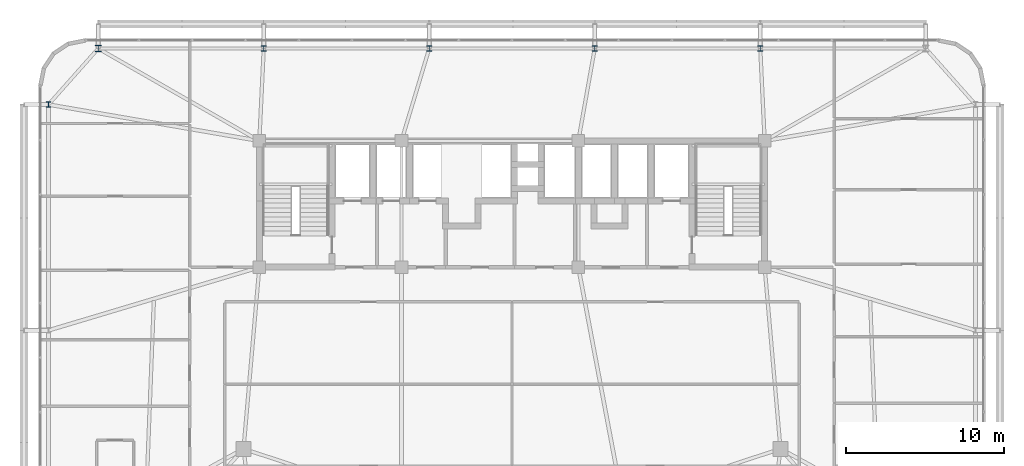
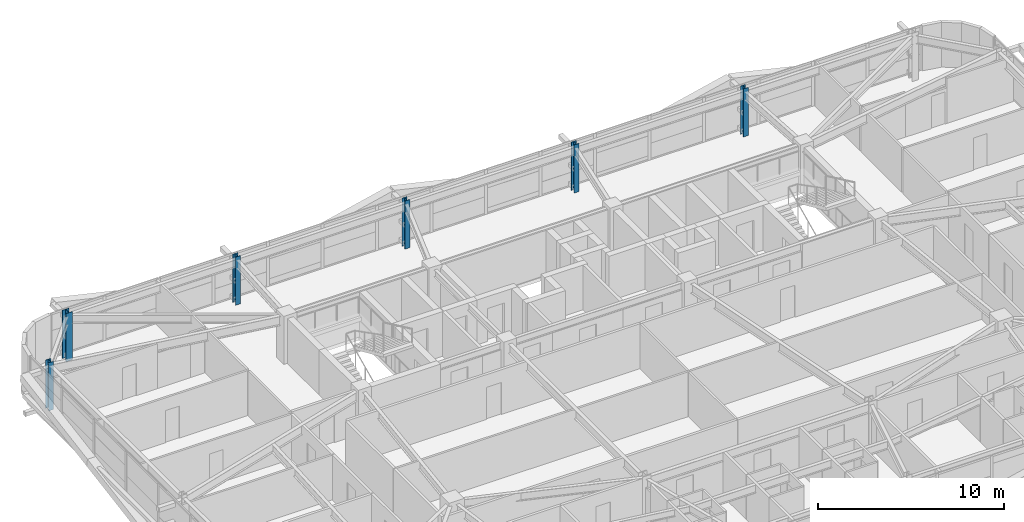
# One storey, part 3 of 59: 6 columns.
"""IFC4 building model written with IfcOpenShell, lengths in metres."""

from ifc_helpers import new_model, si_unit, direction, frame, origin, origin_2d, place, context, subcontext, project, spatial, i_section, extrude, source, transform, mapped, material, material_profile, profile_set, type_object, element, save


model = new_model("IFC4")

# Units and contexts
model_context = context("Model", 3, precision=1e-05, world=origin(), true_north=direction((0.0, 1.0)))
body_context = subcontext(model_context, "Body", "Model", "MODEL_VIEW")
ifc_project = project(units=[si_unit("LENGTHUNIT", "METRE"), si_unit("AREAUNIT", "SQUARE_METRE"), si_unit("VOLUMEUNIT", "CUBIC_METRE"), si_unit("PLANEANGLEUNIT", "RADIAN"), si_unit("MASSUNIT", "GRAM", prefix="KILO")], contexts=[model_context])

# Site, building, storey
site_placement = place(None, origin())
site = spatial("IfcSite", under=ifc_project, at=site_placement, CompositionType="ELEMENT")
building_placement = place(site_placement, origin())
building = spatial("IfcBuilding", under=site, at=building_placement, Name="Taldren Reach Tower", CompositionType="ELEMENT")
storey_placement = place(building_placement, frame((0.0, 0.0, 19.949951171875)))
storey = spatial("IfcBuildingStorey", under=building, at=storey_placement, Name="L05", CompositionType="ELEMENT", Elevation=19.949951171875)

# Columns
ifc_material = material(Name="Steel Gr 350 (350PLUS)", Category="steel")
ifc_material_profile_1 = material_profile(ifc_material, i_section(OverallWidth=0.39990234375, OverallDepth=0.39599609375, WebThickness=0.02197265625, FlangeThickness=0.033935546875, at=origin_2d()), Name="400WC270")
ifc_profile_set_1 = profile_set([ifc_material_profile_1], Name="Steel Gr 350 (350PLUS)")
column_type_1 = type_object("IfcColumnType", Name="COL-WC400", PredefinedType="COLUMN", material=ifc_profile_set_1)
shared_shape_1 = source(origin(), body_context, "Body", "SweptSolid", [
    extrude(i_section(OverallWidth=0.39990234375, OverallDepth=0.39599609375, WebThickness=0.02197265625, FlangeThickness=0.033935546875, at=origin_2d()), origin(), (0.0, 0.0, 1.0), 3.150146484375),
])
column_placement = place(storey_placement, frame((8.800048828125, 37.85009765625, 0.0), z_axis=(0.0, 0.0, 1.0), x_axis=(1.0, 0.0, 0.0)))
element("IfcColumn", 1, at=column_placement, inside=storey, type_object=column_type_1, Name="Block B1 perimeter column N1 L05", PredefinedType="COLUMN", context=body_context, shape_type="MappedRepresentation", body=[
    mapped(shared_shape_1, transform((0.0, 0.0, 0.0), scale=1.0)),
])
ifc_material_profile_2 = material_profile(ifc_material, i_section(OverallWidth=0.31103515625, OverallDepth=0.326904296875, WebThickness=0.015625, FlangeThickness=0.02490234375, at=origin_2d()), Name="310UC158")
ifc_profile_set_2 = profile_set([ifc_material_profile_2], Name="Steel Gr 350 (350PLUS)")
column_type_2 = type_object("IfcColumnType", Name="COL-UC310A", PredefinedType="COLUMN", material=ifc_profile_set_2)
shared_shape_2 = source(origin(), body_context, "Body", "SweptSolid", [
    extrude(i_section(OverallWidth=0.31103515625, OverallDepth=0.326904296875, WebThickness=0.015625, FlangeThickness=0.02490234375, at=origin_2d()), origin(), (0.0, 0.0, 1.0), 3.150146484375),
])
for number, where, z_axis, x_axis, name in (
    (2, (19.280029296875, 37.85009765625, 0.0), (0.0, 0.0, 1.0), (1.0, 0.0, 0.0), "Block B1 perimeter column N2 L05"),
    (3, (29.760009765625, 37.85009765625, 0.0), (0.0, 0.0, 1.0), (1.0, 0.0, 0.0), "Block B1 perimeter column N3 L05"),
    (4, (40.239990234375, 37.85009765625, 0.0), (0.0, 0.0, 1.0), (1.0, 0.0, 0.0), "Block B1 perimeter column N4 L05"),
    (5, (50.719970703125, 37.85009765625, 0.0), (0.0, 0.0, 1.0), (1.0, 0.0, 0.0), "Block B1 perimeter column N5 L05"),
    (6, (5.64990234375, 34.300048828125, 0.0), (0.0, 0.0, 1.0), (1.0, 0.0, 0.0), "Block B1 perimeter column W3 L05"),
):
    element("IfcColumn", number, at=place(storey_placement, frame(where, z_axis=z_axis, x_axis=x_axis)), inside=storey, type_object=column_type_2, Name=name, PredefinedType="COLUMN", context=body_context, shape_type="MappedRepresentation", body=[
        mapped(shared_shape_2, transform((0.0, 0.0, 0.0), scale=1.0)),
    ])

save(model, "model.ifc")
